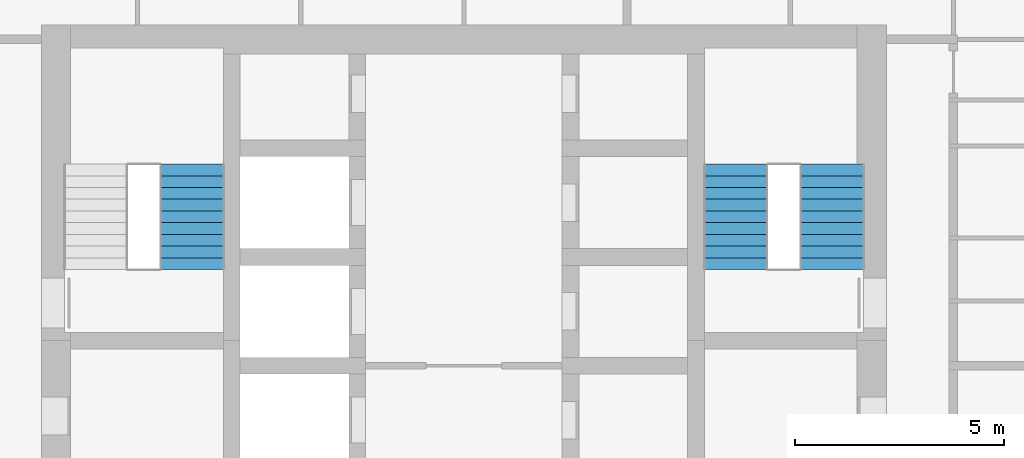
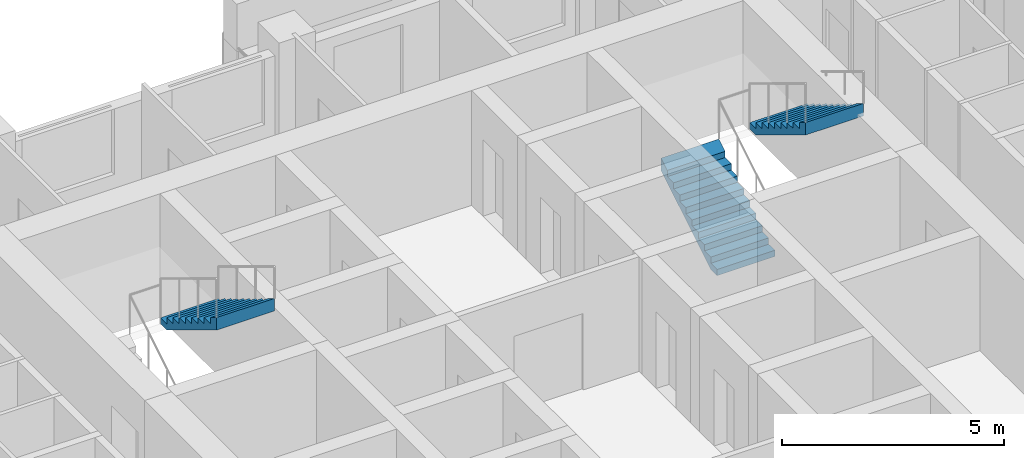
# One storey, part 16 of 19: 3 stair flights, 2 elements without a shape of their own.
"""IFC4 building model written with IfcOpenShell, lengths in metres."""

from ifc_helpers import new_model, si_unit, direction, frame, origin, place, context, subcontext, project, spatial, triangles, material, type_object, element, aggregate, save


model = new_model("IFC4")

# Units and contexts
model_context = context("Model", 3, precision=1e-05, world=origin(), true_north=direction((0.0, 1.0)))
body_context = subcontext(model_context, "Body", "Model", "MODEL_VIEW")
ifc_project = project(units=[si_unit("LENGTHUNIT", "METRE"), si_unit("AREAUNIT", "SQUARE_METRE"), si_unit("VOLUMEUNIT", "CUBIC_METRE"), si_unit("PLANEANGLEUNIT", "RADIAN"), si_unit("MASSUNIT", "GRAM", prefix="KILO")], contexts=[model_context])

# Site, building, storey
site_placement = place(None, origin())
site = spatial("IfcSite", under=ifc_project, at=site_placement, CompositionType="ELEMENT")
building_placement = place(site_placement, origin())
building = spatial("IfcBuilding", under=site, at=building_placement, Name="Ludao Terraces", CompositionType="ELEMENT")
storey_placement = place(building_placement, frame((0.0, 0.0, 81.800048828125)))
storey = spatial("IfcBuildingStorey", under=building, at=storey_placement, Name="L22", CompositionType="ELEMENT", Elevation=81.800048828125)

# Stair, stair flight
ifc_material = material(Name="Concrete C40", Category="concrete")
stair_type = type_object("IfcStairType", Name="INT Stair", PredefinedType="HALF_TURN_STAIR", material=ifc_material)
stair_1_placement = place(storey_placement, origin())
stair_1 = element("IfcStair", 1, at=stair_1_placement, inside=storey, type_object=stair_type, Name="EXIT STAIR 1", PredefinedType="HALF_TURN_STAIR")
stair_flight_type = type_object("IfcStairFlightType", Name="INT Stair flight", PredefinedType="STRAIGHT", material=ifc_material)
stair_flight_1_placement = place(storey_placement, frame((78.5, 81.52001953125, 1.699951171875), z_axis=(0.0, 0.0, 1.0), x_axis=(0.0, -1.0, 0.0)))
stair_flight_1 = element("IfcStairFlight", 2, at=stair_flight_1_placement, type_object=stair_flight_type, Name="ST1 flight 2", NumberOfRisers=10, NumberOfTreads=9, PredefinedType="STRAIGHT", RiserHeight=0.17, TreadLength=0.28, context=body_context, shape_type="Tessellation", body=[
    triangles([(0.0, -0.75, 0.0), (0.0, -0.5, 0.0), (0.0, -0.25, 0.0), (0.0, 0.0, 0.0), (0.0, 0.25, 0.0), (0.0, 0.5, 0.0), (0.0, 0.75, 0.0), (0.0, -0.75, 0.169921875), (0.0, -0.5, 0.169921875), (0.0, -0.25, 0.169921875), (0.0, 0.0, 0.169921875), (0.0, 0.25, 0.169921875), (0.0, 0.5, 0.169921875), (0.0, 0.75, 0.169921875), (0.280029296875, -0.75, 0.169921875), (0.280029296875, -0.5, 0.169921875), (0.280029296875, -0.25, 0.169921875), (0.280029296875, 0.0, 0.169921875), (0.280029296875, 0.25, 0.169921875), (0.280029296875, 0.5, 0.169921875), (0.280029296875, 0.75, 0.169921875), (0.280029296875, -0.75, 0.340087890625), (0.280029296875, -0.5, 0.340087890625), (0.280029296875, -0.25, 0.340087890625), (0.280029296875, 0.0, 0.340087890625), (0.280029296875, 0.25, 0.340087890625), (0.280029296875, 0.5, 0.340087890625), (0.280029296875, 0.75, 0.340087890625), (0.56005859375, -0.75, 0.340087890625), (0.56005859375, -0.5, 0.340087890625), (0.56005859375, -0.25, 0.340087890625), (0.56005859375, 0.0, 0.340087890625), (0.56005859375, 0.25, 0.340087890625), (0.56005859375, 0.5, 0.340087890625), (0.56005859375, 0.75, 0.340087890625), (0.56005859375, -0.75, 0.510009765625), (0.56005859375, -0.5, 0.510009765625), (0.56005859375, -0.25, 0.510009765625), (0.56005859375, 0.0, 0.510009765625), (0.56005859375, 0.25, 0.510009765625), (0.56005859375, 0.5, 0.510009765625), (0.56005859375, 0.75, 0.510009765625), (0.840087890625, -0.75, 0.510009765625), (0.840087890625, -0.5, 0.510009765625), (0.840087890625, -0.25, 0.510009765625), (0.840087890625, 0.0, 0.510009765625), (0.840087890625, 0.25, 0.510009765625), (0.840087890625, 0.5, 0.510009765625), (0.840087890625, 0.75, 0.510009765625), (0.840087890625, -0.75, 0.679931640625), (0.840087890625, -0.5, 0.679931640625), (0.840087890625, -0.25, 0.679931640625), (0.840087890625, 0.0, 0.679931640625), (0.840087890625, 0.25, 0.679931640625), (0.840087890625, 0.5, 0.679931640625), (0.840087890625, 0.75, 0.679931640625), (1.1201171875, -0.75, 0.679931640625), (1.1201171875, -0.5, 0.679931640625), (1.1201171875, -0.25, 0.679931640625), (1.1201171875, 0.0, 0.679931640625), (1.1201171875, 0.25, 0.679931640625), (1.1201171875, 0.5, 0.679931640625), (1.1201171875, 0.75, 0.679931640625), (1.1201171875, -0.75, 0.85009765625), (1.1201171875, -0.5, 0.85009765625), (1.1201171875, -0.25, 0.85009765625), (1.1201171875, 0.0, 0.85009765625), (1.1201171875, 0.25, 0.85009765625), (1.1201171875, 0.5, 0.85009765625), (1.1201171875, 0.75, 0.85009765625), (1.39990234375, -0.75, 0.85009765625), (1.39990234375, -0.5, 0.85009765625), (1.39990234375, -0.25, 0.85009765625), (1.39990234375, 0.0, 0.85009765625), (1.39990234375, 0.25, 0.85009765625), (1.39990234375, 0.5, 0.85009765625), (1.39990234375, 0.75, 0.85009765625), (1.39990234375, -0.75, 1.02001953125), (1.39990234375, -0.5, 1.02001953125), (1.39990234375, -0.25, 1.02001953125), (1.39990234375, 0.0, 1.02001953125), (1.39990234375, 0.25, 1.02001953125), (1.39990234375, 0.5, 1.02001953125), (1.39990234375, 0.75, 1.02001953125), (1.679931640625, -0.75, 1.02001953125), (1.679931640625, -0.5, 1.02001953125), (1.679931640625, -0.25, 1.02001953125), (1.679931640625, 0.0, 1.02001953125), (1.679931640625, 0.25, 1.02001953125), (1.679931640625, 0.5, 1.02001953125), (1.679931640625, 0.75, 1.02001953125), (1.679931640625, -0.75, 1.18994140625), (1.679931640625, -0.5, 1.18994140625), (1.679931640625, -0.25, 1.18994140625), (1.679931640625, 0.0, 1.18994140625), (1.679931640625, 0.25, 1.18994140625), (1.679931640625, 0.5, 1.18994140625), (1.679931640625, 0.75, 1.18994140625), (1.9599609375, -0.75, 1.18994140625), (1.9599609375, -0.5, 1.18994140625), (1.9599609375, -0.25, 1.18994140625), (1.9599609375, 0.0, 1.18994140625), (1.9599609375, 0.25, 1.18994140625), (1.9599609375, 0.5, 1.18994140625), (1.9599609375, 0.75, 1.18994140625), (1.9599609375, -0.75, 1.360107421875), (1.9599609375, -0.5, 1.360107421875), (1.9599609375, -0.25, 1.360107421875), (1.9599609375, 0.0, 1.360107421875), (1.9599609375, 0.25, 1.360107421875), (1.9599609375, 0.5, 1.360107421875), (1.9599609375, 0.75, 1.360107421875), (2.239990234375, -0.75, 1.360107421875), (2.239990234375, -0.5, 1.360107421875), (2.239990234375, -0.25, 1.360107421875), (2.239990234375, 0.0, 1.360107421875), (2.239990234375, 0.25, 1.360107421875), (2.239990234375, 0.5, 1.360107421875), (2.239990234375, 0.75, 1.360107421875), (2.239990234375, -0.75, 1.530029296875), (2.239990234375, -0.5, 1.530029296875), (2.239990234375, -0.25, 1.530029296875), (2.239990234375, 0.0, 1.530029296875), (2.239990234375, 0.25, 1.530029296875), (2.239990234375, 0.5, 1.530029296875), (2.239990234375, 0.75, 1.530029296875), (2.52001953125, -0.75, 1.699951171875), (2.52001953125, -0.5, 1.699951171875), (2.52001953125, -0.25, 1.699951171875), (2.52001953125, 0.0, 1.699951171875), (2.52001953125, 0.25, 1.699951171875), (2.52001953125, 0.5, 1.699951171875), (2.52001953125, 0.75, 1.699951171875), (2.52001953125, -0.75, 1.354736328125), (2.52001953125, -0.5, 1.354736328125), (2.52001953125, -0.25, 1.354736328125), (2.52001953125, 0.0, 1.354736328125), (2.52001953125, 0.25, 1.354736328125), (2.52001953125, 0.5, 1.354736328125), (2.52001953125, 0.75, 1.354736328125), (0.288818359375, -0.75, 0.0), (0.288818359375, -0.5, 0.0), (0.288818359375, -0.25, 0.0), (0.288818359375, 0.0, 0.0), (0.288818359375, 0.25, 0.0), (0.288818359375, 0.5, 0.0), (0.288818359375, 0.75, 0.0)], [[1, 141, 134], [7, 140, 147], [134, 127, 120], [140, 126, 133], [134, 120, 113], [140, 119, 126], [134, 113, 106], [140, 112, 119], [134, 106, 99], [140, 105, 112], [99, 92, 85], [105, 91, 98], [134, 99, 85], [140, 91, 105], [85, 78, 71], [91, 77, 84], [134, 85, 71], [140, 77, 91], [71, 64, 57], [77, 63, 70], [134, 71, 57], [140, 63, 77], [57, 50, 43], [63, 49, 56], [134, 57, 43], [140, 49, 63], [43, 36, 29], [49, 35, 42], [134, 43, 29], [140, 35, 49], [29, 22, 15], [35, 21, 28], [134, 29, 15], [140, 21, 35], [1, 134, 15], [7, 21, 140], [15, 8, 1], [21, 7, 14], [1, 9, 2], [1, 8, 9], [2, 10, 3], [2, 9, 10], [3, 11, 4], [3, 10, 11], [4, 12, 5], [4, 11, 12], [5, 13, 6], [5, 12, 13], [6, 14, 7], [6, 13, 14], [8, 16, 9], [8, 15, 16], [9, 17, 10], [9, 16, 17], [10, 18, 11], [10, 17, 18], [11, 19, 12], [11, 18, 19], [12, 20, 13], [12, 19, 20], [13, 21, 14], [13, 20, 21], [15, 23, 16], [15, 22, 23], [16, 24, 17], [16, 23, 24], [17, 25, 18], [17, 24, 25], [18, 26, 19], [18, 25, 26], [19, 27, 20], [19, 26, 27], [20, 28, 21], [20, 27, 28], [22, 30, 23], [22, 29, 30], [23, 31, 24], [23, 30, 31], [24, 32, 25], [24, 31, 32], [25, 33, 26], [25, 32, 33], [26, 34, 27], [26, 33, 34], [27, 35, 28], [27, 34, 35], [29, 37, 30], [29, 36, 37], [30, 38, 31], [30, 37, 38], [31, 39, 32], [31, 38, 39], [32, 40, 33], [32, 39, 40], [33, 41, 34], [33, 40, 41], [34, 42, 35], [34, 41, 42], [36, 44, 37], [36, 43, 44], [37, 45, 38], [37, 44, 45], [38, 46, 39], [38, 45, 46], [39, 47, 40], [39, 46, 47], [40, 48, 41], [40, 47, 48], [41, 49, 42], [41, 48, 49], [43, 51, 44], [43, 50, 51], [44, 52, 45], [44, 51, 52], [45, 53, 46], [45, 52, 53], [46, 54, 47], [46, 53, 54], [47, 55, 48], [47, 54, 55], [48, 56, 49], [48, 55, 56], [50, 58, 51], [50, 57, 58], [51, 59, 52], [51, 58, 59], [52, 60, 53], [52, 59, 60], [53, 61, 54], [53, 60, 61], [54, 62, 55], [54, 61, 62], [55, 63, 56], [55, 62, 63], [57, 65, 58], [57, 64, 65], [58, 66, 59], [58, 65, 66], [59, 67, 60], [59, 66, 67], [60, 68, 61], [60, 67, 68], [61, 69, 62], [61, 68, 69], [62, 70, 63], [62, 69, 70], [64, 72, 65], [64, 71, 72], [65, 73, 66], [65, 72, 73], [66, 74, 67], [66, 73, 74], [67, 75, 68], [67, 74, 75], [68, 76, 69], [68, 75, 76], [69, 77, 70], [69, 76, 77], [71, 79, 72], [71, 78, 79], [72, 80, 73], [72, 79, 80], [73, 81, 74], [73, 80, 81], [74, 82, 75], [74, 81, 82], [75, 83, 76], [75, 82, 83], [76, 84, 77], [76, 83, 84], [78, 86, 79], [78, 85, 86], [79, 87, 80], [79, 86, 87], [80, 88, 81], [80, 87, 88], [81, 89, 82], [81, 88, 89], [82, 90, 83], [82, 89, 90], [83, 91, 84], [83, 90, 91], [85, 93, 86], [85, 92, 93], [86, 94, 87], [86, 93, 94], [87, 95, 88], [87, 94, 95], [88, 96, 89], [88, 95, 96], [89, 97, 90], [89, 96, 97], [90, 98, 91], [90, 97, 98], [92, 100, 93], [92, 99, 100], [93, 101, 94], [93, 100, 101], [94, 102, 95], [94, 101, 102], [95, 103, 96], [95, 102, 103], [96, 104, 97], [96, 103, 104], [97, 105, 98], [97, 104, 105], [99, 107, 100], [99, 106, 107], [100, 108, 101], [100, 107, 108], [101, 109, 102], [101, 108, 109], [102, 110, 103], [102, 109, 110], [103, 111, 104], [103, 110, 111], [104, 112, 105], [104, 111, 112], [106, 114, 107], [106, 113, 114], [107, 115, 108], [107, 114, 115], [108, 116, 109], [108, 115, 116], [109, 117, 110], [109, 116, 117], [110, 118, 111], [110, 117, 118], [111, 119, 112], [111, 118, 119], [113, 121, 114], [113, 120, 121], [114, 122, 115], [114, 121, 122], [115, 123, 116], [115, 122, 123], [116, 124, 117], [116, 123, 124], [117, 125, 118], [117, 124, 125], [118, 126, 119], [118, 125, 126], [120, 128, 121], [120, 127, 128], [121, 129, 122], [121, 128, 129], [122, 130, 123], [122, 129, 130], [123, 131, 124], [123, 130, 131], [124, 132, 125], [124, 131, 132], [125, 133, 126], [125, 132, 133], [127, 135, 128], [127, 134, 135], [128, 136, 129], [128, 135, 136], [129, 137, 130], [129, 136, 137], [130, 138, 131], [130, 137, 138], [131, 139, 132], [131, 138, 139], [132, 140, 133], [132, 139, 140], [134, 142, 135], [134, 141, 142], [135, 143, 136], [135, 142, 143], [136, 144, 137], [136, 143, 144], [137, 145, 138], [137, 144, 145], [138, 146, 139], [138, 145, 146], [139, 147, 140], [139, 146, 147], [141, 2, 142], [141, 1, 2], [142, 3, 143], [142, 2, 3], [143, 4, 144], [143, 3, 4], [144, 5, 145], [144, 4, 5], [145, 6, 146], [145, 5, 6], [146, 7, 147], [146, 6, 7]], closed=True),
])
aggregate(stair_1, [stair_flight_1])

# Stair, stair flights
stair_2_placement = place(storey_placement, origin())
stair_2 = element("IfcStair", 3, at=stair_2_placement, inside=storey, type_object=stair_type, Name="EXIT STAIR 2", PredefinedType="HALF_TURN_STAIR")
stair_flight_2_placement = place(storey_placement, frame((91.5, 79.0, 0.0), z_axis=(0.0, 0.0, 1.0), x_axis=(0.0, 1.0, 0.0)))
stair_flight_2 = element("IfcStairFlight", 4, at=stair_flight_2_placement, type_object=stair_flight_type, Name="ST2 flight 1", NumberOfRisers=10, NumberOfTreads=9, PredefinedType="STRAIGHT", RiserHeight=0.17, TreadLength=0.28, context=body_context, shape_type="Tessellation", body=[
    triangles([(0.0, -0.75, 0.0), (0.0, -0.5, 0.0), (0.0, -0.25, 0.0), (0.0, 0.0, 0.0), (0.0, 0.25, 0.0), (0.0, 0.5, 0.0), (0.0, 0.75, 0.0), (0.0, -0.75, 0.169921875), (0.0, -0.5, 0.169921875), (0.0, -0.25, 0.169921875), (0.0, 0.0, 0.169921875), (0.0, 0.25, 0.169921875), (0.0, 0.5, 0.169921875), (0.0, 0.75, 0.169921875), (0.280029296875, -0.75, 0.169921875), (0.280029296875, -0.5, 0.169921875), (0.280029296875, -0.25, 0.169921875), (0.280029296875, 0.0, 0.169921875), (0.280029296875, 0.25, 0.169921875), (0.280029296875, 0.5, 0.169921875), (0.280029296875, 0.75, 0.169921875), (0.280029296875, -0.75, 0.340087890625), (0.280029296875, -0.5, 0.340087890625), (0.280029296875, -0.25, 0.340087890625), (0.280029296875, 0.0, 0.340087890625), (0.280029296875, 0.25, 0.340087890625), (0.280029296875, 0.5, 0.340087890625), (0.280029296875, 0.75, 0.340087890625), (0.56005859375, -0.75, 0.340087890625), (0.56005859375, -0.5, 0.340087890625), (0.56005859375, -0.25, 0.340087890625), (0.56005859375, 0.0, 0.340087890625), (0.56005859375, 0.25, 0.340087890625), (0.56005859375, 0.5, 0.340087890625), (0.56005859375, 0.75, 0.340087890625), (0.56005859375, -0.75, 0.510009765625), (0.56005859375, -0.5, 0.510009765625), (0.56005859375, -0.25, 0.510009765625), (0.56005859375, 0.0, 0.510009765625), (0.56005859375, 0.25, 0.510009765625), (0.56005859375, 0.5, 0.510009765625), (0.56005859375, 0.75, 0.510009765625), (0.840087890625, -0.75, 0.510009765625), (0.840087890625, -0.5, 0.510009765625), (0.840087890625, -0.25, 0.510009765625), (0.840087890625, 0.0, 0.510009765625), (0.840087890625, 0.25, 0.510009765625), (0.840087890625, 0.5, 0.510009765625), (0.840087890625, 0.75, 0.510009765625), (0.840087890625, -0.75, 0.679931640625), (0.840087890625, -0.5, 0.679931640625), (0.840087890625, -0.25, 0.679931640625), (0.840087890625, 0.0, 0.679931640625), (0.840087890625, 0.25, 0.679931640625), (0.840087890625, 0.5, 0.679931640625), (0.840087890625, 0.75, 0.679931640625), (1.1201171875, -0.75, 0.679931640625), (1.1201171875, -0.5, 0.679931640625), (1.1201171875, -0.25, 0.679931640625), (1.1201171875, 0.0, 0.679931640625), (1.1201171875, 0.25, 0.679931640625), (1.1201171875, 0.5, 0.679931640625), (1.1201171875, 0.75, 0.679931640625), (1.1201171875, -0.75, 0.85009765625), (1.1201171875, -0.5, 0.85009765625), (1.1201171875, -0.25, 0.85009765625), (1.1201171875, 0.0, 0.85009765625), (1.1201171875, 0.25, 0.85009765625), (1.1201171875, 0.5, 0.85009765625), (1.1201171875, 0.75, 0.85009765625), (1.39990234375, -0.75, 0.85009765625), (1.39990234375, -0.5, 0.85009765625), (1.39990234375, -0.25, 0.85009765625), (1.39990234375, 0.0, 0.85009765625), (1.39990234375, 0.25, 0.85009765625), (1.39990234375, 0.5, 0.85009765625), (1.39990234375, 0.75, 0.85009765625), (1.39990234375, -0.75, 1.02001953125), (1.39990234375, -0.5, 1.02001953125), (1.39990234375, -0.25, 1.02001953125), (1.39990234375, 0.0, 1.02001953125), (1.39990234375, 0.25, 1.02001953125), (1.39990234375, 0.5, 1.02001953125), (1.39990234375, 0.75, 1.02001953125), (1.679931640625, -0.75, 1.02001953125), (1.679931640625, -0.5, 1.02001953125), (1.679931640625, -0.25, 1.02001953125), (1.679931640625, 0.0, 1.02001953125), (1.679931640625, 0.25, 1.02001953125), (1.679931640625, 0.5, 1.02001953125), (1.679931640625, 0.75, 1.02001953125), (1.679931640625, -0.75, 1.18994140625), (1.679931640625, -0.5, 1.18994140625), (1.679931640625, -0.25, 1.18994140625), (1.679931640625, 0.0, 1.18994140625), (1.679931640625, 0.25, 1.18994140625), (1.679931640625, 0.5, 1.18994140625), (1.679931640625, 0.75, 1.18994140625), (1.9599609375, -0.75, 1.18994140625), (1.9599609375, -0.5, 1.18994140625), (1.9599609375, -0.25, 1.18994140625), (1.9599609375, 0.0, 1.18994140625), (1.9599609375, 0.25, 1.18994140625), (1.9599609375, 0.5, 1.18994140625), (1.9599609375, 0.75, 1.18994140625), (1.9599609375, -0.75, 1.360107421875), (1.9599609375, -0.5, 1.360107421875), (1.9599609375, -0.25, 1.360107421875), (1.9599609375, 0.0, 1.360107421875), (1.9599609375, 0.25, 1.360107421875), (1.9599609375, 0.5, 1.360107421875), (1.9599609375, 0.75, 1.360107421875), (2.239990234375, -0.75, 1.360107421875), (2.239990234375, -0.5, 1.360107421875), (2.239990234375, -0.25, 1.360107421875), (2.239990234375, 0.0, 1.360107421875), (2.239990234375, 0.25, 1.360107421875), (2.239990234375, 0.5, 1.360107421875), (2.239990234375, 0.75, 1.360107421875), (2.239990234375, -0.75, 1.530029296875), (2.239990234375, -0.5, 1.530029296875), (2.239990234375, -0.25, 1.530029296875), (2.239990234375, 0.0, 1.530029296875), (2.239990234375, 0.25, 1.530029296875), (2.239990234375, 0.5, 1.530029296875), (2.239990234375, 0.75, 1.530029296875), (2.52001953125, -0.75, 1.699951171875), (2.52001953125, -0.5, 1.699951171875), (2.52001953125, -0.25, 1.699951171875), (2.52001953125, 0.0, 1.699951171875), (2.52001953125, 0.25, 1.699951171875), (2.52001953125, 0.5, 1.699951171875), (2.52001953125, 0.75, 1.699951171875), (2.52001953125, -0.75, 1.354736328125), (2.52001953125, -0.5, 1.354736328125), (2.52001953125, -0.25, 1.354736328125), (2.52001953125, 0.0, 1.354736328125), (2.52001953125, 0.25, 1.354736328125), (2.52001953125, 0.5, 1.354736328125), (2.52001953125, 0.75, 1.354736328125), (0.288818359375, -0.75, 0.0), (0.288818359375, -0.5, 0.0), (0.288818359375, -0.25, 0.0), (0.288818359375, 0.0, 0.0), (0.288818359375, 0.25, 0.0), (0.288818359375, 0.5, 0.0), (0.288818359375, 0.75, 0.0)], [[1, 141, 134], [7, 140, 147], [134, 127, 120], [140, 126, 133], [134, 120, 113], [140, 119, 126], [134, 113, 106], [140, 112, 119], [134, 106, 99], [140, 105, 112], [99, 92, 85], [105, 91, 98], [134, 99, 85], [140, 91, 105], [85, 78, 71], [91, 77, 84], [134, 85, 71], [140, 77, 91], [71, 64, 57], [77, 63, 70], [134, 71, 57], [140, 63, 77], [57, 50, 43], [63, 49, 56], [134, 57, 43], [140, 49, 63], [43, 36, 29], [49, 35, 42], [134, 43, 29], [140, 35, 49], [29, 22, 15], [35, 21, 28], [134, 29, 15], [140, 21, 35], [1, 134, 15], [7, 21, 140], [15, 8, 1], [21, 7, 14], [1, 9, 2], [1, 8, 9], [2, 10, 3], [2, 9, 10], [3, 11, 4], [3, 10, 11], [4, 12, 5], [4, 11, 12], [5, 13, 6], [5, 12, 13], [6, 14, 7], [6, 13, 14], [8, 16, 9], [8, 15, 16], [9, 17, 10], [9, 16, 17], [10, 18, 11], [10, 17, 18], [11, 19, 12], [11, 18, 19], [12, 20, 13], [12, 19, 20], [13, 21, 14], [13, 20, 21], [15, 23, 16], [15, 22, 23], [16, 24, 17], [16, 23, 24], [17, 25, 18], [17, 24, 25], [18, 26, 19], [18, 25, 26], [19, 27, 20], [19, 26, 27], [20, 28, 21], [20, 27, 28], [22, 30, 23], [22, 29, 30], [23, 31, 24], [23, 30, 31], [24, 32, 25], [24, 31, 32], [25, 33, 26], [25, 32, 33], [26, 34, 27], [26, 33, 34], [27, 35, 28], [27, 34, 35], [29, 37, 30], [29, 36, 37], [30, 38, 31], [30, 37, 38], [31, 39, 32], [31, 38, 39], [32, 40, 33], [32, 39, 40], [33, 41, 34], [33, 40, 41], [34, 42, 35], [34, 41, 42], [36, 44, 37], [36, 43, 44], [37, 45, 38], [37, 44, 45], [38, 46, 39], [38, 45, 46], [39, 47, 40], [39, 46, 47], [40, 48, 41], [40, 47, 48], [41, 49, 42], [41, 48, 49], [43, 51, 44], [43, 50, 51], [44, 52, 45], [44, 51, 52], [45, 53, 46], [45, 52, 53], [46, 54, 47], [46, 53, 54], [47, 55, 48], [47, 54, 55], [48, 56, 49], [48, 55, 56], [50, 58, 51], [50, 57, 58], [51, 59, 52], [51, 58, 59], [52, 60, 53], [52, 59, 60], [53, 61, 54], [53, 60, 61], [54, 62, 55], [54, 61, 62], [55, 63, 56], [55, 62, 63], [57, 65, 58], [57, 64, 65], [58, 66, 59], [58, 65, 66], [59, 67, 60], [59, 66, 67], [60, 68, 61], [60, 67, 68], [61, 69, 62], [61, 68, 69], [62, 70, 63], [62, 69, 70], [64, 72, 65], [64, 71, 72], [65, 73, 66], [65, 72, 73], [66, 74, 67], [66, 73, 74], [67, 75, 68], [67, 74, 75], [68, 76, 69], [68, 75, 76], [69, 77, 70], [69, 76, 77], [71, 79, 72], [71, 78, 79], [72, 80, 73], [72, 79, 80], [73, 81, 74], [73, 80, 81], [74, 82, 75], [74, 81, 82], [75, 83, 76], [75, 82, 83], [76, 84, 77], [76, 83, 84], [78, 86, 79], [78, 85, 86], [79, 87, 80], [79, 86, 87], [80, 88, 81], [80, 87, 88], [81, 89, 82], [81, 88, 89], [82, 90, 83], [82, 89, 90], [83, 91, 84], [83, 90, 91], [85, 93, 86], [85, 92, 93], [86, 94, 87], [86, 93, 94], [87, 95, 88], [87, 94, 95], [88, 96, 89], [88, 95, 96], [89, 97, 90], [89, 96, 97], [90, 98, 91], [90, 97, 98], [92, 100, 93], [92, 99, 100], [93, 101, 94], [93, 100, 101], [94, 102, 95], [94, 101, 102], [95, 103, 96], [95, 102, 103], [96, 104, 97], [96, 103, 104], [97, 105, 98], [97, 104, 105], [99, 107, 100], [99, 106, 107], [100, 108, 101], [100, 107, 108], [101, 109, 102], [101, 108, 109], [102, 110, 103], [102, 109, 110], [103, 111, 104], [103, 110, 111], [104, 112, 105], [104, 111, 112], [106, 114, 107], [106, 113, 114], [107, 115, 108], [107, 114, 115], [108, 116, 109], [108, 115, 116], [109, 117, 110], [109, 116, 117], [110, 118, 111], [110, 117, 118], [111, 119, 112], [111, 118, 119], [113, 121, 114], [113, 120, 121], [114, 122, 115], [114, 121, 122], [115, 123, 116], [115, 122, 123], [116, 124, 117], [116, 123, 124], [117, 125, 118], [117, 124, 125], [118, 126, 119], [118, 125, 126], [120, 128, 121], [120, 127, 128], [121, 129, 122], [121, 128, 129], [122, 130, 123], [122, 129, 130], [123, 131, 124], [123, 130, 131], [124, 132, 125], [124, 131, 132], [125, 133, 126], [125, 132, 133], [127, 135, 128], [127, 134, 135], [128, 136, 129], [128, 135, 136], [129, 137, 130], [129, 136, 137], [130, 138, 131], [130, 137, 138], [131, 139, 132], [131, 138, 139], [132, 140, 133], [132, 139, 140], [134, 142, 135], [134, 141, 142], [135, 143, 136], [135, 142, 143], [136, 144, 137], [136, 143, 144], [137, 145, 138], [137, 144, 145], [138, 146, 139], [138, 145, 146], [139, 147, 140], [139, 146, 147], [141, 2, 142], [141, 1, 2], [142, 3, 143], [142, 2, 3], [143, 4, 144], [143, 3, 4], [144, 5, 145], [144, 4, 5], [145, 6, 146], [145, 5, 6], [146, 7, 147], [146, 6, 7]], closed=True),
])
stair_flight_3_placement = place(storey_placement, frame((93.800048828125, 81.52001953125, 1.699951171875), z_axis=(0.0, 0.0, 1.0), x_axis=(0.0, -1.0, 0.0)))
stair_flight_3 = element("IfcStairFlight", 5, at=stair_flight_3_placement, type_object=stair_flight_type, Name="ST2 flight 2", NumberOfRisers=10, NumberOfTreads=9, PredefinedType="STRAIGHT", RiserHeight=0.17, TreadLength=0.28, context=body_context, shape_type="Tessellation", body=[
    triangles([(0.0, -0.75, 0.0), (0.0, -0.5, 0.0), (0.0, -0.25, 0.0), (0.0, 0.0, 0.0), (0.0, 0.25, 0.0), (0.0, 0.5, 0.0), (0.0, 0.75, 0.0), (0.0, -0.75, 0.169921875), (0.0, -0.5, 0.169921875), (0.0, -0.25, 0.169921875), (0.0, 0.0, 0.169921875), (0.0, 0.25, 0.169921875), (0.0, 0.5, 0.169921875), (0.0, 0.75, 0.169921875), (0.280029296875, -0.75, 0.169921875), (0.280029296875, -0.5, 0.169921875), (0.280029296875, -0.25, 0.169921875), (0.280029296875, 0.0, 0.169921875), (0.280029296875, 0.25, 0.169921875), (0.280029296875, 0.5, 0.169921875), (0.280029296875, 0.75, 0.169921875), (0.280029296875, -0.75, 0.340087890625), (0.280029296875, -0.5, 0.340087890625), (0.280029296875, -0.25, 0.340087890625), (0.280029296875, 0.0, 0.340087890625), (0.280029296875, 0.25, 0.340087890625), (0.280029296875, 0.5, 0.340087890625), (0.280029296875, 0.75, 0.340087890625), (0.56005859375, -0.75, 0.340087890625), (0.56005859375, -0.5, 0.340087890625), (0.56005859375, -0.25, 0.340087890625), (0.56005859375, 0.0, 0.340087890625), (0.56005859375, 0.25, 0.340087890625), (0.56005859375, 0.5, 0.340087890625), (0.56005859375, 0.75, 0.340087890625), (0.56005859375, -0.75, 0.510009765625), (0.56005859375, -0.5, 0.510009765625), (0.56005859375, -0.25, 0.510009765625), (0.56005859375, 0.0, 0.510009765625), (0.56005859375, 0.25, 0.510009765625), (0.56005859375, 0.5, 0.510009765625), (0.56005859375, 0.75, 0.510009765625), (0.840087890625, -0.75, 0.510009765625), (0.840087890625, -0.5, 0.510009765625), (0.840087890625, -0.25, 0.510009765625), (0.840087890625, 0.0, 0.510009765625), (0.840087890625, 0.25, 0.510009765625), (0.840087890625, 0.5, 0.510009765625), (0.840087890625, 0.75, 0.510009765625), (0.840087890625, -0.75, 0.679931640625), (0.840087890625, -0.5, 0.679931640625), (0.840087890625, -0.25, 0.679931640625), (0.840087890625, 0.0, 0.679931640625), (0.840087890625, 0.25, 0.679931640625), (0.840087890625, 0.5, 0.679931640625), (0.840087890625, 0.75, 0.679931640625), (1.1201171875, -0.75, 0.679931640625), (1.1201171875, -0.5, 0.679931640625), (1.1201171875, -0.25, 0.679931640625), (1.1201171875, 0.0, 0.679931640625), (1.1201171875, 0.25, 0.679931640625), (1.1201171875, 0.5, 0.679931640625), (1.1201171875, 0.75, 0.679931640625), (1.1201171875, -0.75, 0.85009765625), (1.1201171875, -0.5, 0.85009765625), (1.1201171875, -0.25, 0.85009765625), (1.1201171875, 0.0, 0.85009765625), (1.1201171875, 0.25, 0.85009765625), (1.1201171875, 0.5, 0.85009765625), (1.1201171875, 0.75, 0.85009765625), (1.39990234375, -0.75, 0.85009765625), (1.39990234375, -0.5, 0.85009765625), (1.39990234375, -0.25, 0.85009765625), (1.39990234375, 0.0, 0.85009765625), (1.39990234375, 0.25, 0.85009765625), (1.39990234375, 0.5, 0.85009765625), (1.39990234375, 0.75, 0.85009765625), (1.39990234375, -0.75, 1.02001953125), (1.39990234375, -0.5, 1.02001953125), (1.39990234375, -0.25, 1.02001953125), (1.39990234375, 0.0, 1.02001953125), (1.39990234375, 0.25, 1.02001953125), (1.39990234375, 0.5, 1.02001953125), (1.39990234375, 0.75, 1.02001953125), (1.679931640625, -0.75, 1.02001953125), (1.679931640625, -0.5, 1.02001953125), (1.679931640625, -0.25, 1.02001953125), (1.679931640625, 0.0, 1.02001953125), (1.679931640625, 0.25, 1.02001953125), (1.679931640625, 0.5, 1.02001953125), (1.679931640625, 0.75, 1.02001953125), (1.679931640625, -0.75, 1.18994140625), (1.679931640625, -0.5, 1.18994140625), (1.679931640625, -0.25, 1.18994140625), (1.679931640625, 0.0, 1.18994140625), (1.679931640625, 0.25, 1.18994140625), (1.679931640625, 0.5, 1.18994140625), (1.679931640625, 0.75, 1.18994140625), (1.9599609375, -0.75, 1.18994140625), (1.9599609375, -0.5, 1.18994140625), (1.9599609375, -0.25, 1.18994140625), (1.9599609375, 0.0, 1.18994140625), (1.9599609375, 0.25, 1.18994140625), (1.9599609375, 0.5, 1.18994140625), (1.9599609375, 0.75, 1.18994140625), (1.9599609375, -0.75, 1.360107421875), (1.9599609375, -0.5, 1.360107421875), (1.9599609375, -0.25, 1.360107421875), (1.9599609375, 0.0, 1.360107421875), (1.9599609375, 0.25, 1.360107421875), (1.9599609375, 0.5, 1.360107421875), (1.9599609375, 0.75, 1.360107421875), (2.239990234375, -0.75, 1.360107421875), (2.239990234375, -0.5, 1.360107421875), (2.239990234375, -0.25, 1.360107421875), (2.239990234375, 0.0, 1.360107421875), (2.239990234375, 0.25, 1.360107421875), (2.239990234375, 0.5, 1.360107421875), (2.239990234375, 0.75, 1.360107421875), (2.239990234375, -0.75, 1.530029296875), (2.239990234375, -0.5, 1.530029296875), (2.239990234375, -0.25, 1.530029296875), (2.239990234375, 0.0, 1.530029296875), (2.239990234375, 0.25, 1.530029296875), (2.239990234375, 0.5, 1.530029296875), (2.239990234375, 0.75, 1.530029296875), (2.52001953125, -0.75, 1.699951171875), (2.52001953125, -0.5, 1.699951171875), (2.52001953125, -0.25, 1.699951171875), (2.52001953125, 0.0, 1.699951171875), (2.52001953125, 0.25, 1.699951171875), (2.52001953125, 0.5, 1.699951171875), (2.52001953125, 0.75, 1.699951171875), (2.52001953125, -0.75, 1.354736328125), (2.52001953125, -0.5, 1.354736328125), (2.52001953125, -0.25, 1.354736328125), (2.52001953125, 0.0, 1.354736328125), (2.52001953125, 0.25, 1.354736328125), (2.52001953125, 0.5, 1.354736328125), (2.52001953125, 0.75, 1.354736328125), (0.288818359375, -0.75, 0.0), (0.288818359375, -0.5, 0.0), (0.288818359375, -0.25, 0.0), (0.288818359375, 0.0, 0.0), (0.288818359375, 0.25, 0.0), (0.288818359375, 0.5, 0.0), (0.288818359375, 0.75, 0.0)], [[1, 141, 134], [7, 140, 147], [134, 127, 120], [140, 126, 133], [134, 120, 113], [140, 119, 126], [134, 113, 106], [140, 112, 119], [134, 106, 99], [140, 105, 112], [99, 92, 85], [105, 91, 98], [134, 99, 85], [140, 91, 105], [85, 78, 71], [91, 77, 84], [134, 85, 71], [140, 77, 91], [71, 64, 57], [77, 63, 70], [134, 71, 57], [140, 63, 77], [57, 50, 43], [63, 49, 56], [134, 57, 43], [140, 49, 63], [43, 36, 29], [49, 35, 42], [134, 43, 29], [140, 35, 49], [29, 22, 15], [35, 21, 28], [134, 29, 15], [140, 21, 35], [1, 134, 15], [7, 21, 140], [15, 8, 1], [21, 7, 14], [1, 9, 2], [1, 8, 9], [2, 10, 3], [2, 9, 10], [3, 11, 4], [3, 10, 11], [4, 12, 5], [4, 11, 12], [5, 13, 6], [5, 12, 13], [6, 14, 7], [6, 13, 14], [8, 16, 9], [8, 15, 16], [9, 17, 10], [9, 16, 17], [10, 18, 11], [10, 17, 18], [11, 19, 12], [11, 18, 19], [12, 20, 13], [12, 19, 20], [13, 21, 14], [13, 20, 21], [15, 23, 16], [15, 22, 23], [16, 24, 17], [16, 23, 24], [17, 25, 18], [17, 24, 25], [18, 26, 19], [18, 25, 26], [19, 27, 20], [19, 26, 27], [20, 28, 21], [20, 27, 28], [22, 30, 23], [22, 29, 30], [23, 31, 24], [23, 30, 31], [24, 32, 25], [24, 31, 32], [25, 33, 26], [25, 32, 33], [26, 34, 27], [26, 33, 34], [27, 35, 28], [27, 34, 35], [29, 37, 30], [29, 36, 37], [30, 38, 31], [30, 37, 38], [31, 39, 32], [31, 38, 39], [32, 40, 33], [32, 39, 40], [33, 41, 34], [33, 40, 41], [34, 42, 35], [34, 41, 42], [36, 44, 37], [36, 43, 44], [37, 45, 38], [37, 44, 45], [38, 46, 39], [38, 45, 46], [39, 47, 40], [39, 46, 47], [40, 48, 41], [40, 47, 48], [41, 49, 42], [41, 48, 49], [43, 51, 44], [43, 50, 51], [44, 52, 45], [44, 51, 52], [45, 53, 46], [45, 52, 53], [46, 54, 47], [46, 53, 54], [47, 55, 48], [47, 54, 55], [48, 56, 49], [48, 55, 56], [50, 58, 51], [50, 57, 58], [51, 59, 52], [51, 58, 59], [52, 60, 53], [52, 59, 60], [53, 61, 54], [53, 60, 61], [54, 62, 55], [54, 61, 62], [55, 63, 56], [55, 62, 63], [57, 65, 58], [57, 64, 65], [58, 66, 59], [58, 65, 66], [59, 67, 60], [59, 66, 67], [60, 68, 61], [60, 67, 68], [61, 69, 62], [61, 68, 69], [62, 70, 63], [62, 69, 70], [64, 72, 65], [64, 71, 72], [65, 73, 66], [65, 72, 73], [66, 74, 67], [66, 73, 74], [67, 75, 68], [67, 74, 75], [68, 76, 69], [68, 75, 76], [69, 77, 70], [69, 76, 77], [71, 79, 72], [71, 78, 79], [72, 80, 73], [72, 79, 80], [73, 81, 74], [73, 80, 81], [74, 82, 75], [74, 81, 82], [75, 83, 76], [75, 82, 83], [76, 84, 77], [76, 83, 84], [78, 86, 79], [78, 85, 86], [79, 87, 80], [79, 86, 87], [80, 88, 81], [80, 87, 88], [81, 89, 82], [81, 88, 89], [82, 90, 83], [82, 89, 90], [83, 91, 84], [83, 90, 91], [85, 93, 86], [85, 92, 93], [86, 94, 87], [86, 93, 94], [87, 95, 88], [87, 94, 95], [88, 96, 89], [88, 95, 96], [89, 97, 90], [89, 96, 97], [90, 98, 91], [90, 97, 98], [92, 100, 93], [92, 99, 100], [93, 101, 94], [93, 100, 101], [94, 102, 95], [94, 101, 102], [95, 103, 96], [95, 102, 103], [96, 104, 97], [96, 103, 104], [97, 105, 98], [97, 104, 105], [99, 107, 100], [99, 106, 107], [100, 108, 101], [100, 107, 108], [101, 109, 102], [101, 108, 109], [102, 110, 103], [102, 109, 110], [103, 111, 104], [103, 110, 111], [104, 112, 105], [104, 111, 112], [106, 114, 107], [106, 113, 114], [107, 115, 108], [107, 114, 115], [108, 116, 109], [108, 115, 116], [109, 117, 110], [109, 116, 117], [110, 118, 111], [110, 117, 118], [111, 119, 112], [111, 118, 119], [113, 121, 114], [113, 120, 121], [114, 122, 115], [114, 121, 122], [115, 123, 116], [115, 122, 123], [116, 124, 117], [116, 123, 124], [117, 125, 118], [117, 124, 125], [118, 126, 119], [118, 125, 126], [120, 128, 121], [120, 127, 128], [121, 129, 122], [121, 128, 129], [122, 130, 123], [122, 129, 130], [123, 131, 124], [123, 130, 131], [124, 132, 125], [124, 131, 132], [125, 133, 126], [125, 132, 133], [127, 135, 128], [127, 134, 135], [128, 136, 129], [128, 135, 136], [129, 137, 130], [129, 136, 137], [130, 138, 131], [130, 137, 138], [131, 139, 132], [131, 138, 139], [132, 140, 133], [132, 139, 140], [134, 142, 135], [134, 141, 142], [135, 143, 136], [135, 142, 143], [136, 144, 137], [136, 143, 144], [137, 145, 138], [137, 144, 145], [138, 146, 139], [138, 145, 146], [139, 147, 140], [139, 146, 147], [141, 2, 142], [141, 1, 2], [142, 3, 143], [142, 2, 3], [143, 4, 144], [143, 3, 4], [144, 5, 145], [144, 4, 5], [145, 6, 146], [145, 5, 6], [146, 7, 147], [146, 6, 7]], closed=True),
])
aggregate(stair_2, [stair_flight_2, stair_flight_3])

save(model, "model.ifc")
